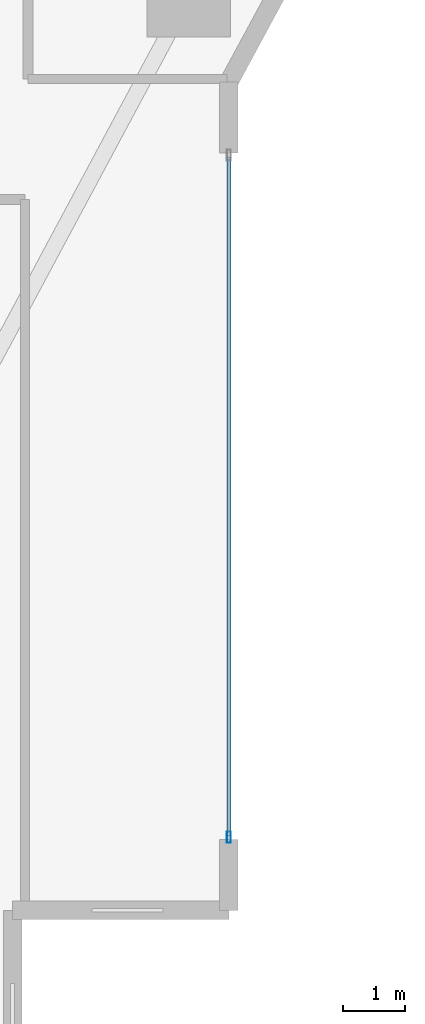
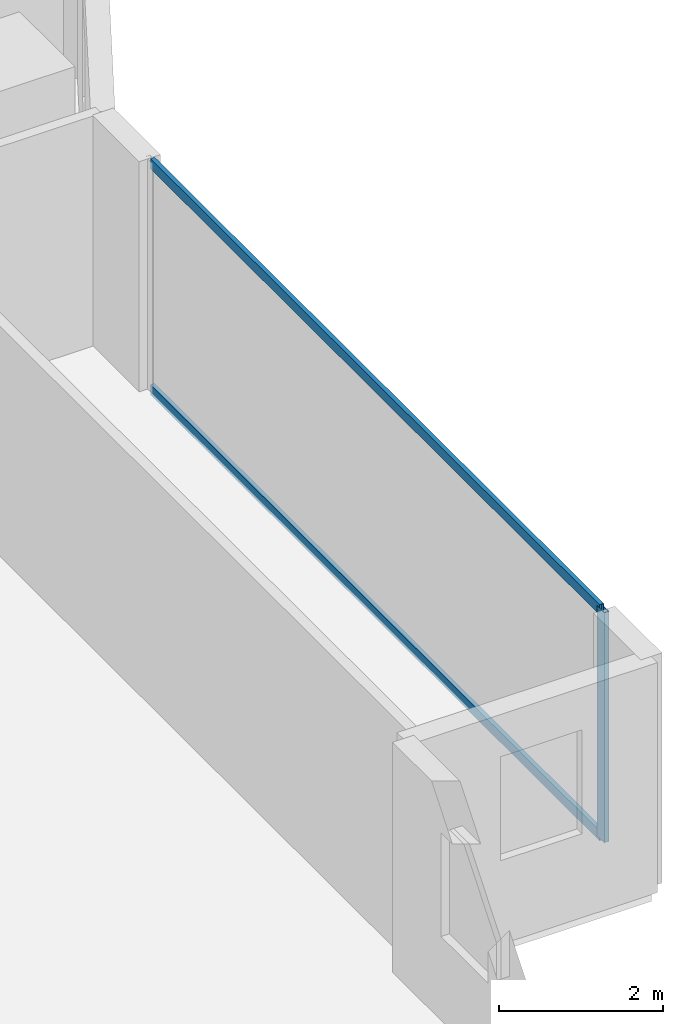
# One storey, part 11 of 29: 3 members, 1 element without a shape of its own.
"""IFC4 building model written with IfcOpenShell, lengths in metres."""

from ifc_helpers import new_model, si_unit, direction, frame, origin, origin_2d, place, context, subcontext, project, spatial, hollow_rectangle, extrude, material, layer, layer_set, material_profile, profile_set, type_object, element, aggregate, save


model = new_model("IFC4")

# Units and contexts
model_context = context("Model", 3, precision=1e-05, world=origin(), true_north=direction((0.0, 1.0)))
body_context = subcontext(model_context, "Body", "Model", "MODEL_VIEW")
ifc_project = project(units=[si_unit("LENGTHUNIT", "METRE"), si_unit("AREAUNIT", "SQUARE_METRE"), si_unit("VOLUMEUNIT", "CUBIC_METRE"), si_unit("PLANEANGLEUNIT", "RADIAN"), si_unit("MASSUNIT", "GRAM", prefix="KILO")], contexts=[model_context])

# Site, building, storey
site_placement = place(None, origin())
site = spatial("IfcSite", under=ifc_project, at=site_placement, CompositionType="ELEMENT")
building_placement = place(site_placement, origin())
building = spatial("IfcBuilding", under=site, at=building_placement, Name="Zuhayl Quay Hotel", CompositionType="ELEMENT")
storey_placement = place(building_placement, frame((0.0, 0.0, 106.60009765625)))
storey = spatial("IfcBuildingStorey", under=building, at=storey_placement, Name="L26", CompositionType="ELEMENT", Elevation=106.60009765625)

# Curtain wall, members
ifc_material_1 = material(Name="Anodised Aluminium 6063-T6", Category="aluminium")
ifc_layer = layer(ifc_material_1, 0.179931640625, Name="Anodised Aluminium 6063-T6", Category="aluminium")
ifc_layer_set = layer_set([ifc_layer], Name="Anodised Aluminium 6063-T6")
curtain_wall_type = type_object("IfcCurtainWallType", Name="CW_SYS_Z2", PredefinedType="USERDEFINED", material=ifc_layer_set)
curtain_wall_placement = place(storey_placement, origin())
curtain_wall = element("IfcCurtainWall", 1, at=curtain_wall_placement, inside=storey, type_object=curtain_wall_type, Name="L26 Curtain Wall ENV_L26_E14_CW1", ObjectType="UNITISED CURTAIN WALL", PredefinedType="USERDEFINED")
ifc_material_2 = material(Name="Black-anodised aluminium 6063-T6", Category="aluminium")
ifc_material_profile_1 = material_profile(ifc_material_2, hollow_rectangle(XDim=0.06494140625, YDim=0.179931640625, WallThickness=0.00341796875, at=origin_2d()), Name="ALU180X65")
ifc_profile_set_1 = profile_set([ifc_material_profile_1], Name="Black-anodised aluminium 6063-T6")
member_type_1 = type_object("IfcMemberType", Name="MB_CW_MUL_180", PredefinedType="MULLION", material=ifc_profile_set_1)
member_1_placement = place(storey_placement, frame((23.89990234375, -10.717529296875, 0.0), z_axis=(0.0, 0.0, 1.0), x_axis=(1.0, 0.0, 0.0)))
member_1 = element("IfcMember", 2, at=member_1_placement, type_object=member_type_1, Name="CW-Z2 mullion 2", PredefinedType="MULLION", context=body_context, shape_type="SweptSolid", body=[
    extrude(hollow_rectangle(XDim=0.06494140625, YDim=0.179931640625, WallThickness=0.00341796875, at=origin_2d()), origin(), (0.0, 0.0, 1.0), 3.429931640625),
])
ifc_material_profile_2 = material_profile(ifc_material_2, hollow_rectangle(XDim=0.06005859375, YDim=0.14990234375, WallThickness=0.00341796875, at=origin_2d()), Name="ALU150X60")
ifc_profile_set_2 = profile_set([ifc_material_profile_2], Name="Black-anodised aluminium 6063-T6")
member_type_2 = type_object("IfcMemberType", Name="MB_CW_TRN_150", PredefinedType="USERDEFINED", material=ifc_profile_set_2)
member_2_placement = place(storey_placement, frame((23.89990234375, 0.284912109375, 0.02978515625), z_axis=(0.0, -1.0, 0.0), x_axis=(1.0, 0.0, 0.0)))
member_2 = element("IfcMember", 3, at=member_2_placement, type_object=member_type_2, Name="CW-Z2 transom 1.1", ObjectType="TRANSOM", PredefinedType="USERDEFINED", context=body_context, shape_type="SweptSolid", body=[
    extrude(hollow_rectangle(XDim=0.06005859375, YDim=0.14990234375, WallThickness=0.00341796875, at=origin_2d()), origin(), (0.0, 0.0, 1.0), 10.969970703125),
])
member_3_placement = place(storey_placement, frame((23.89990234375, 0.284912109375, 3.39990234375), z_axis=(0.0, -1.0, 0.0), x_axis=(1.0, 0.0, 0.0)))
member_3 = element("IfcMember", 4, at=member_3_placement, type_object=member_type_2, Name="CW-Z2 transom 1.2", ObjectType="TRANSOM", PredefinedType="USERDEFINED", context=body_context, shape_type="SweptSolid", body=[
    extrude(hollow_rectangle(XDim=0.06005859375, YDim=0.14990234375, WallThickness=0.00341796875, at=origin_2d()), origin(), (0.0, 0.0, 1.0), 10.969970703125),
])
aggregate(curtain_wall, [member_1, member_2, member_3])

save(model, "model.ifc")
